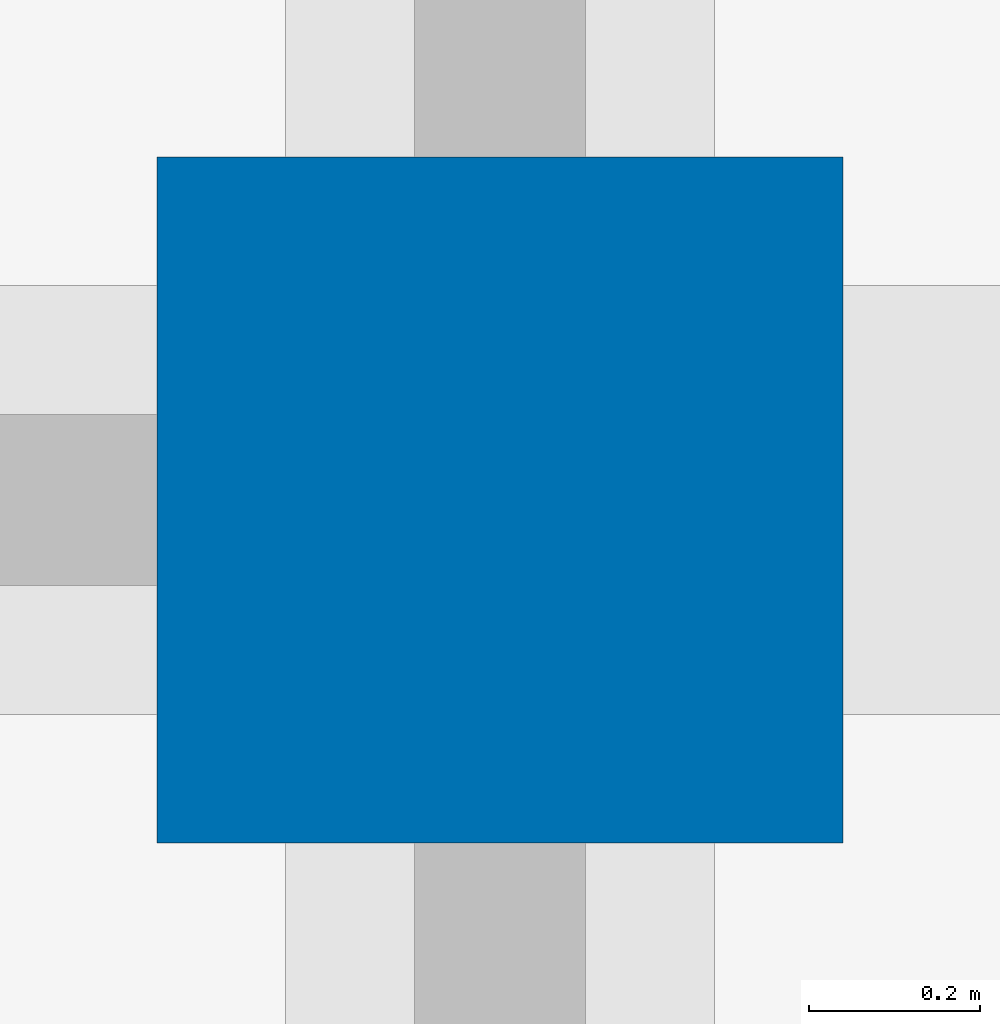
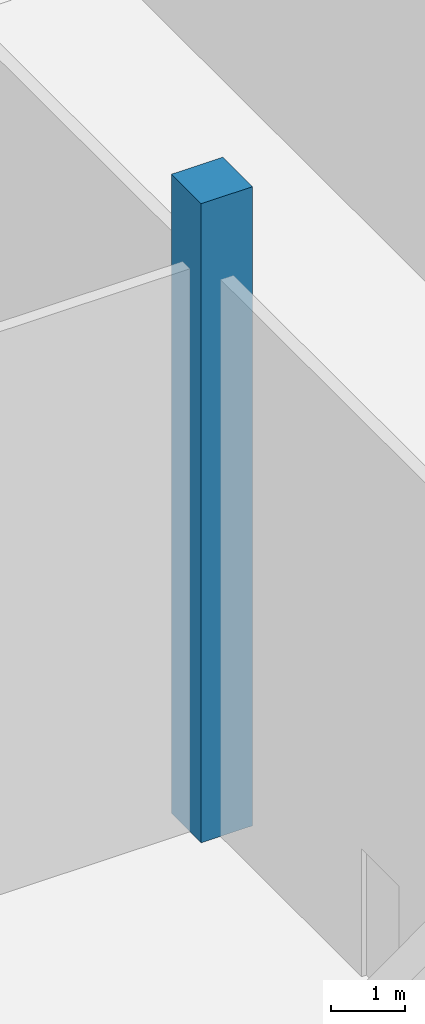
# One storey, part 6 of 182: 1 column.
"""IFC4 building model written with IfcOpenShell, lengths in metres."""

import ifcopenshell
import ifcopenshell.guid

model = None  # the IFC model being written
_history = None  # IfcOwnerHistory: only IFC2X3 demands one
_inside = {}  # id of a spatial element -> (the spatial element, [elements in it])
_under = {}  # id of a project, library or spatial element -> (it, [spatial elements below it])
_declared = {}  # id of a project -> (the project, [libraries it declares])
_typed = {}  # id of a type object -> (the type object, [elements of that type])
_made_of = {}  # id of a material, layer set ... -> (it, [elements and type objects made of it])


def new_model(schema):
    """Start an empty IFC model of exactly this schema.

    Asked for "IFC4X3", IfcOpenShell would pick the latest addendum, in which some entities
    have other attributes; the version numbers below select the first issue.
    IFC2X3 requires an IfcOwnerHistory on every rooted entity: one is made here for all.
    """
    global model, _history
    if schema == "IFC4X3":
        model = ifcopenshell.file(schema_version=(4, 3, 0, 0))
    else:
        model = ifcopenshell.file(schema=schema)
    _inside.clear()
    _under.clear()
    _declared.clear()
    _typed.clear()
    _made_of.clear()
    _history = None
    if model.schema == "IFC2X3":
        org = make("IfcOrganization", Name="unknown")
        user = make(
            "IfcPersonAndOrganization",
            ThePerson=make("IfcPerson", FamilyName="unknown"),
            TheOrganization=org,
        )
        app = make(
            "IfcApplication",
            ApplicationDeveloper=org,
            Version="unknown",
            ApplicationFullName="unknown",
            ApplicationIdentifier="unknown",
        )
        _history = make(
            "IfcOwnerHistory",
            OwningUser=user,
            OwningApplication=app,
            ChangeAction="ADDED",
            CreationDate=0,
        )
    return model


def make(cls, **values):
    """One entity of the class cls with the attributes given. An attribute that is None is left unset."""
    return model.create_entity(
        cls, **{name: value for name, value in values.items() if value is not None}
    )


def rooted(cls, **values):
    """An entity with a GlobalId (a new one), such as an element, a storey or a relation."""
    return make(cls, GlobalId=ifcopenshell.guid.new(), OwnerHistory=_history, **values)


def si_unit(unit_type, name, prefix=None):
    """IfcSIUnit, for example si_unit("LENGTHUNIT", "METRE", prefix="MILLI")."""
    return make("IfcSIUnit", UnitType=unit_type, Prefix=prefix, Name=name)


def assignment(units):
    """IfcUnitAssignment: the units of a project."""
    return None if units is None else make("IfcUnitAssignment", Units=units)


def point(xyz):
    """IfcCartesianPoint."""
    return None if xyz is None else make("IfcCartesianPoint", Coordinates=xyz)


def direction(xyz):
    """IfcDirection."""
    return None if xyz is None else make("IfcDirection", DirectionRatios=xyz)


def frame(location, z_axis=None, x_axis=None):
    """IfcAxis2Placement3D, a coordinate frame: its origin and axes. An axis left out is left unset."""
    return make(
        "IfcAxis2Placement3D",
        Location=point(location),
        Axis=direction(z_axis),
        RefDirection=direction(x_axis),
    )


def frame_2d(location, x_axis=None):
    """IfcAxis2Placement2D, a coordinate frame in the plane: its origin and x axis."""
    return make(
        "IfcAxis2Placement2D", Location=point(location), RefDirection=direction(x_axis)
    )


def origin():
    """The frame at (0, 0, 0) with its axes left unset."""
    return frame((0.0, 0.0, 0.0))


def origin_2d():
    """The frame at (0, 0) in the plane with its x axis left unset."""
    return frame_2d((0.0, 0.0))


def place(relative_to, where):
    """IfcLocalPlacement: puts the frame where relative to a parent placement (None: the world)."""
    return make(
        "IfcLocalPlacement", PlacementRelTo=relative_to, RelativePlacement=where
    )


def context(
    kind, dimensions, precision=None, world=None, true_north=None, identifier=None
):
    """IfcGeometricRepresentationContext, for example the 3D "Model" context."""
    return make(
        "IfcGeometricRepresentationContext",
        ContextIdentifier=identifier,
        ContextType=kind,
        CoordinateSpaceDimension=dimensions,
        Precision=precision,
        WorldCoordinateSystem=world,
        TrueNorth=true_north,
    )


def subcontext(parent, identifier, kind, view, scale=None):
    """IfcGeometricRepresentationSubContext, for example "Body" below "Model"."""
    return make(
        "IfcGeometricRepresentationSubContext",
        ContextIdentifier=identifier,
        ContextType=kind,
        ParentContext=parent,
        TargetScale=scale,
        TargetView=view,
    )


def project(units=None, contexts=None):
    """IfcProject with its units and contexts."""
    return rooted(
        "IfcProject",
        Name="project",
        RepresentationContexts=contexts,
        UnitsInContext=assignment(units),
    )


def spatial(cls, under=None, at=None, **own):
    """A site, building, storey or space (cls), placed at a placement, below another one or the project."""
    s = rooted(cls, ObjectPlacement=at, **own)
    if under is not None:
        _under.setdefault(under.id(), (under, []))[1].append(s)
    return s


def profile(cls, at=None, kind="AREA", **sizes):
    """A parametric profile (cls). Its sizes go by their IFC names, for example OverallWidth=200.0."""
    return make(cls, ProfileType=kind, Position=at, **sizes)


def rectangle(**sizes):
    """IfcRectangleProfileDef."""
    return profile("IfcRectangleProfileDef", **sizes)


def extrude(swept, where, along, depth):
    """IfcExtrudedAreaSolid: the profile swept, set in the frame where, extruded along a direction by depth."""
    return make(
        "IfcExtrudedAreaSolid",
        SweptArea=swept,
        Position=where,
        ExtrudedDirection=direction(along),
        Depth=depth,
    )


def shape(context_of_items, identifier, shape_type, items):
    """IfcShapeRepresentation: the items that make up one representation, for example the "Body"."""
    return make(
        "IfcShapeRepresentation",
        ContextOfItems=context_of_items,
        RepresentationIdentifier=identifier,
        RepresentationType=shape_type,
        Items=items,
    )


def material(Name=None, Category=None):
    """IfcMaterial."""
    return make("IfcMaterial", Name=Name, Category=Category)


def material_profile(
    of_material, cross_section, Name=None, Category=None, Priority=None
):
    """IfcMaterialProfile: a cross section and its material."""
    return make(
        "IfcMaterialProfile",
        Name=Name,
        Material=of_material,
        Profile=cross_section,
        Priority=Priority,
        Category=Category,
    )


def profile_set(profiles, Name=None, composite=None):
    """IfcMaterialProfileSet."""
    return make(
        "IfcMaterialProfileSet",
        Name=Name,
        MaterialProfiles=profiles,
        CompositeProfile=composite,
    )


def made_of(thing, what):
    """Note that an element or type object is made of a material, layer set ...; save() writes the relation."""
    if what is not None:
        _made_of.setdefault(what.id(), (what, []))[1].append(thing)
    return thing


def type_object(cls, material=None, **own):
    """A type object (cls), such as IfcWallType, which elements share."""
    return made_of(rooted(cls, **own), material)


def element(
    cls,
    number,
    at=None,
    inside=None,
    cuts=None,
    type_object=None,
    material=None,
    context=None,
    identifier="Body",
    shape_type=None,
    held_by="IfcProductDefinitionShape",
    body=None,
    shapes=None,
    **own,
):
    """One element of the class cls, such as IfcWall. Its Tag is "e" and its number.

    at: its placement. inside: the storey or other place that contains it. cuts: it is an
    opening in that element (IfcRelVoidsElement). A single representation is given by context,
    identifier, shape_type and body (its items); several are given by shapes. held_by: the class
    of the entity that holds the representations. save() writes the other relations.
    """
    e = rooted(cls, Tag="e%d" % number, ObjectPlacement=at, **own)
    if body is not None:
        shapes = [shape(context, identifier, shape_type, body)]
    if shapes is not None:
        e.Representation = make(held_by, Representations=shapes)
    if inside is not None:
        _inside.setdefault(inside.id(), (inside, []))[1].append(e)
    if cuts is not None:
        rooted(
            "IfcRelVoidsElement", RelatingBuildingElement=cuts, RelatedOpeningElement=e
        )
    if type_object is not None:
        _typed.setdefault(type_object.id(), (type_object, []))[1].append(e)
    return made_of(e, material)


def aggregate(whole, parts):
    """IfcRelAggregates: a whole, such as a stair, and the parts it consists of."""
    return rooted("IfcRelAggregates", RelatingObject=whole, RelatedObjects=parts)


def save(model, path):
    """Write the relations noted so far, then the file.

    IfcRelAggregates (storeys below a building ...), IfcRelContainedInSpatialStructure (elements
    in a storey), IfcRelDefinesByType, IfcRelAssociatesMaterial and IfcRelDeclares: one each for
    every whole, place, type object, material and project.
    """
    for whole, parts in _under.values():
        aggregate(whole, parts)
    for where, things in _inside.values():
        rooted(
            "IfcRelContainedInSpatialStructure",
            RelatedElements=things,
            RelatingStructure=where,
        )
    for kind, things in _typed.values():
        rooted("IfcRelDefinesByType", RelatedObjects=things, RelatingType=kind)
    for what, things in _made_of.values():
        rooted("IfcRelAssociatesMaterial", RelatedObjects=things, RelatingMaterial=what)
    for by, libraries in _declared.values():
        rooted("IfcRelDeclares", RelatingContext=by, RelatedDefinitions=libraries)
    model.write(path)


model = new_model("IFC4")

# Units and contexts
model_context = context("Model", 3, precision=1e-05, world=origin(), true_north=direction((0.0, 1.0)))
body_context = subcontext(model_context, "Body", "Model", "MODEL_VIEW")
ifc_project = project(units=[si_unit("LENGTHUNIT", "METRE"), si_unit("AREAUNIT", "SQUARE_METRE"), si_unit("VOLUMEUNIT", "CUBIC_METRE"), si_unit("PLANEANGLEUNIT", "RADIAN"), si_unit("MASSUNIT", "GRAM", prefix="KILO")], contexts=[model_context])

# Site, building, storey
site_placement = place(None, origin())
site = spatial("IfcSite", under=ifc_project, at=site_placement, CompositionType="ELEMENT")
building_placement = place(site_placement, origin())
building = spatial("IfcBuilding", under=site, at=building_placement, Name="Silverbay Arena", CompositionType="ELEMENT")
storey_placement = place(building_placement, frame((0.0, 0.0, 11.5)))
storey = spatial("IfcBuildingStorey", under=building, at=storey_placement, Name="L02", CompositionType="ELEMENT", Elevation=11.5)

# Column
ifc_material = material(Name="Concrete Grade C45", Category="concrete")
ifc_material_profile = material_profile(ifc_material, rectangle(XDim=0.800048828125, YDim=0.800048828125, at=origin_2d()), Name="RC 800x800")
ifc_profile_set = profile_set([ifc_material_profile], Name="Concrete Grade C45")
column_type = type_object("IfcColumnType", Name="RC column 800x800", PredefinedType="COLUMN", material=ifc_profile_set)
column_placement = place(storey_placement, frame((63.0, 81.0, 0.0), z_axis=(0.0, 0.0, 1.0), x_axis=(1.0, 0.0, 0.0)))
element("IfcColumn", 1, at=column_placement, inside=storey, type_object=column_type, Name="Column 8/K L02", PredefinedType="COLUMN", context=body_context, shape_type="SweptSolid", body=[
    extrude(rectangle(XDim=0.800048828125, YDim=0.800048828125, at=origin_2d()), origin(), (0.0, 0.0, 1.0), 10.5),
])

save(model, "model.ifc")
